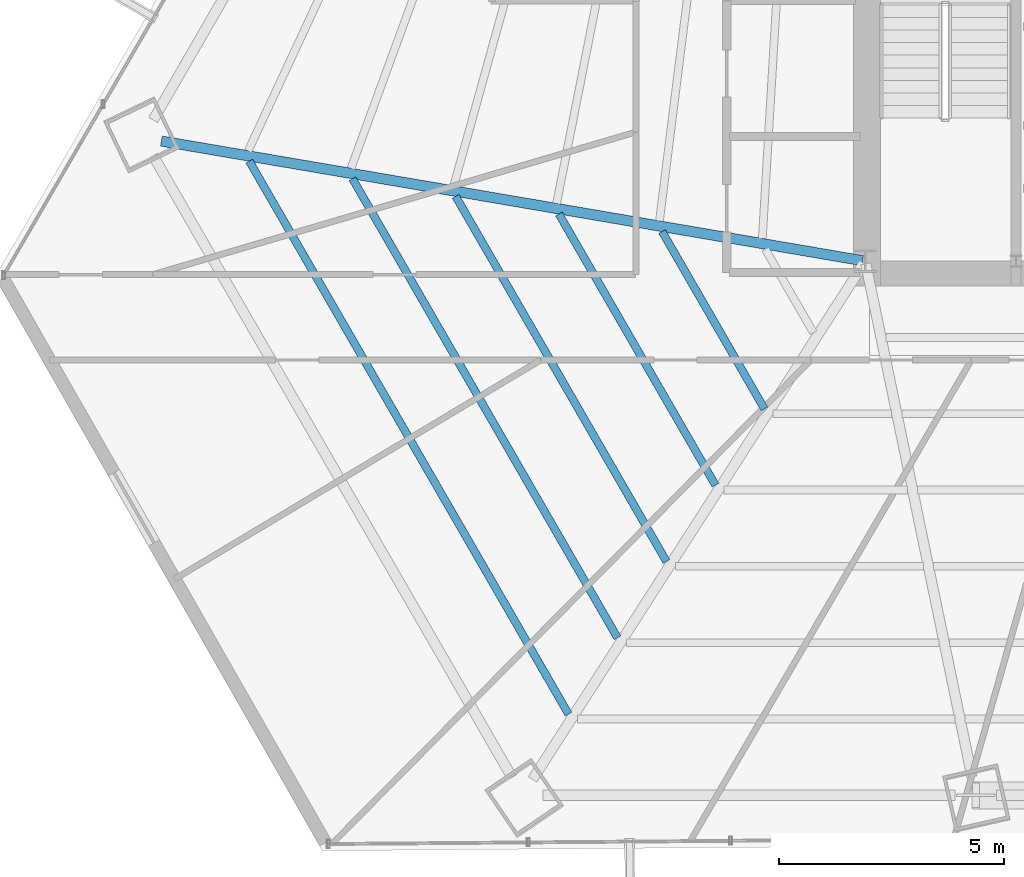
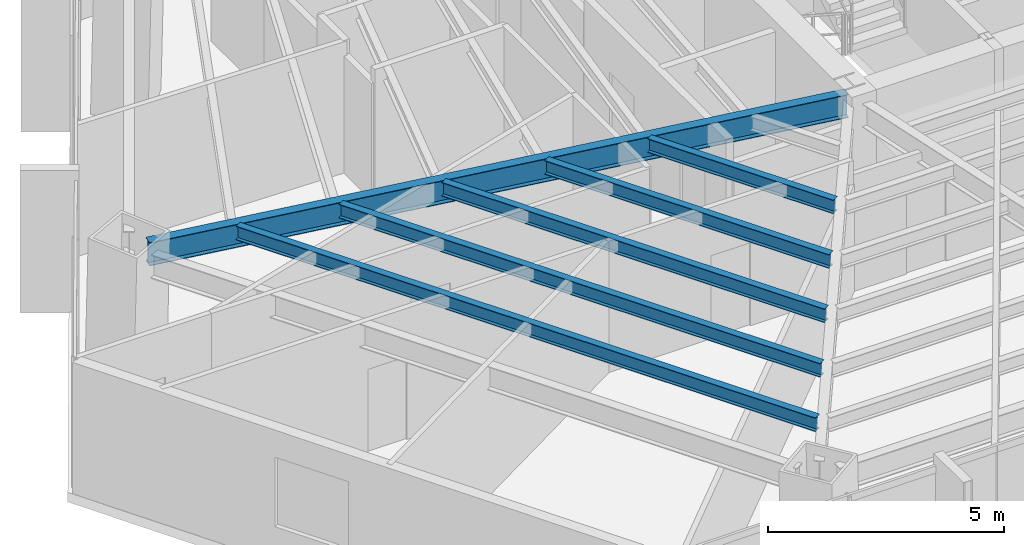
# One storey, part 7 of 36: 6 beams.
"""IFC4 building model written with IfcOpenShell, lengths in metres."""

from ifc_helpers import new_model, si_unit, direction, frame, origin, origin_2d, place, context, subcontext, project, spatial, i_section, extrude, source, transform, mapped, material, material_profile, profile_set, type_object, type_shapes, element, save


model = new_model("IFC4")

# Units and contexts
model_context = context("Model", 3, precision=1e-05, world=origin(), true_north=direction((0.0, 1.0)))
body_context = subcontext(model_context, "Body", "Model", "MODEL_VIEW")
ifc_project = project(units=[si_unit("LENGTHUNIT", "METRE"), si_unit("AREAUNIT", "SQUARE_METRE"), si_unit("VOLUMEUNIT", "CUBIC_METRE"), si_unit("PLANEANGLEUNIT", "RADIAN"), si_unit("MASSUNIT", "GRAM", prefix="KILO")], contexts=[model_context])

# Site, building, storey
site_placement = place(None, origin())
site = spatial("IfcSite", under=ifc_project, at=site_placement, CompositionType="ELEMENT")
building_placement = place(site_placement, origin())
building = spatial("IfcBuilding", under=site, at=building_placement, Name="Caelisora Broadcast Tower", CompositionType="ELEMENT")
storey_placement = place(building_placement, frame((0.0, 0.0, 60.449951171875)))
storey = spatial("IfcBuildingStorey", under=building, at=storey_placement, Name="L15", CompositionType="ELEMENT", Elevation=60.449951171875)

# Beams
ifc_material = material(Name="Steel Grade 350 (AS/NZS 3679.1)", Category="steel")
ifc_material_profile_1 = material_profile(ifc_material, i_section(OverallWidth=0.22802734375, OverallDepth=0.602294921875, WebThickness=0.010498046875, FlangeThickness=0.014892578125, at=origin_2d()), Name="Steel Grade 350 (AS/NZS 3679.1)")
ifc_profile_set_1 = profile_set([ifc_material_profile_1], Name="Steel Grade 350 (AS/NZS 3679.1)")
beam_type_1 = type_object("IfcBeamType", Name="PG04", PredefinedType="BEAM", material=ifc_profile_set_1)
shared_shape_1 = source(origin(), body_context, "Body", "SweptSolid", [
    extrude(i_section(OverallWidth=0.22802734375, OverallDepth=0.602294921875, WebThickness=0.010498046875, FlangeThickness=0.014892578125, at=origin_2d()), origin(), (0.0, 0.0, 1.0), 15.81591796875),
])
type_shapes(beam_type_1, [shared_shape_1])
beam_1_placement = place(storey_placement, frame((30.44091796875, 17.41015625, 3.098876953125), z_axis=(-0.985753721573, 0.168195125985, 0.0), x_axis=(-0.168195125985, -0.985753721573, 0.0)))
element("IfcBeam", 1, at=beam_1_placement, inside=storey, type_object=beam_type_1, Name="L15 beam PG04", PredefinedType="BEAM", context=body_context, shape_type="MappedRepresentation", body=[
    mapped(shared_shape_1, transform((0.0, 0.0, 0.0), scale=1.0)),
])
ifc_material_profile_2 = material_profile(ifc_material, i_section(OverallWidth=0.172119140625, OverallDepth=0.358642578125, WebThickness=0.008056640625, FlangeThickness=0.012939453125, at=origin_2d()), Name="Steel Grade 350 (AS/NZS 3679.1)")
ifc_profile_set_2 = profile_set([ifc_material_profile_2], Name="Steel Grade 350 (AS/NZS 3679.1)")
beam_type_2 = type_object("IfcBeamType", Name="SB02", PredefinedType="JOIST", material=ifc_profile_set_2)
shared_shape_2 = source(origin(), body_context, "Body", "SweptSolid", [
    extrude(i_section(OverallWidth=0.172119140625, OverallDepth=0.358642578125, WebThickness=0.008056640625, FlangeThickness=0.012939453125, at=origin_2d()), origin(), (0.0, 0.0, 1.0), 4.55224609375),
])
beam_2_placement = place(storey_placement, frame((25.98291015625, 18.057373046875, 3.220703125), z_axis=(0.499997902498, -0.866026614774, 0.0), x_axis=(0.866026614774, 0.499997902498, 0.0)))
element("IfcBeam", 2, at=beam_2_placement, inside=storey, type_object=beam_type_2, Name="L15 beam SB02", PredefinedType="JOIST", context=body_context, shape_type="MappedRepresentation", body=[
    mapped(shared_shape_2, transform((0.0, 0.0, 0.0), scale=1.0)),
])
shared_shape_3 = source(origin(), body_context, "Body", "SweptSolid", [
    extrude(i_section(OverallWidth=0.172119140625, OverallDepth=0.358642578125, WebThickness=0.008056640625, FlangeThickness=0.012939453125, at=origin_2d()), origin(), (0.0, 0.0, 1.0), 6.96337890625),
])
beam_3_placement = place(storey_placement, frame((23.688232421875, 18.448974609375, 3.220703125), z_axis=(0.49999660792, -0.866027362194, 0.0), x_axis=(0.866027362194, 0.49999660792, 0.0)))
element("IfcBeam", 3, at=beam_3_placement, inside=storey, type_object=beam_type_2, Name="L15 beam SB02", PredefinedType="JOIST", context=body_context, shape_type="MappedRepresentation", body=[
    mapped(shared_shape_3, transform((0.0, 0.0, 0.0), scale=1.0)),
])
shared_shape_4 = source(origin(), body_context, "Body", "SweptSolid", [
    extrude(i_section(OverallWidth=0.172119140625, OverallDepth=0.358642578125, WebThickness=0.008056640625, FlangeThickness=0.012939453125, at=origin_2d()), origin(), (0.0, 0.0, 1.0), 9.375),
])
beam_4_placement = place(storey_placement, frame((21.393310546875, 18.840576171875, 3.220703125), z_axis=(0.500004234368, -0.866022959057, 0.0), x_axis=(0.866022959057, 0.500004234368, 0.0)))
element("IfcBeam", 4, at=beam_4_placement, inside=storey, type_object=beam_type_2, Name="L15 beam SB02", PredefinedType="JOIST", context=body_context, shape_type="MappedRepresentation", body=[
    mapped(shared_shape_4, transform((0.0, 0.0, 0.0), scale=1.0)),
])
shared_shape_5 = source(origin(), body_context, "Body", "SweptSolid", [
    extrude(i_section(OverallWidth=0.172119140625, OverallDepth=0.358642578125, WebThickness=0.008056640625, FlangeThickness=0.012939453125, at=origin_2d()), origin(), (0.0, 0.0, 1.0), 11.786376953125),
])
beam_5_placement = place(storey_placement, frame((19.0986328125, 19.232177734375, 3.220703125), z_axis=(0.499993204704, -0.866029327015, 0.0), x_axis=(0.866029327015, 0.499993204704, 0.0)))
element("IfcBeam", 5, at=beam_5_placement, inside=storey, type_object=beam_type_2, Name="L15 beam SB02", PredefinedType="JOIST", context=body_context, shape_type="MappedRepresentation", body=[
    mapped(shared_shape_5, transform((0.0, 0.0, 0.0), scale=1.0)),
])
shared_shape_6 = source(origin(), body_context, "Body", "SweptSolid", [
    extrude(i_section(OverallWidth=0.172119140625, OverallDepth=0.358642578125, WebThickness=0.008056640625, FlangeThickness=0.012939453125, at=origin_2d()), origin(), (0.0, 0.0, 1.0), 14.197509765625),
])
type_shapes(beam_type_2, [shared_shape_2, shared_shape_3, shared_shape_4, shared_shape_5, shared_shape_6])
beam_6_placement = place(storey_placement, frame((16.8037109375, 19.62353515625, 3.220703125), z_axis=(0.500006264592, -0.86602178689, 0.0), x_axis=(0.86602178689, 0.500006264592, 0.0)))
element("IfcBeam", 6, at=beam_6_placement, inside=storey, type_object=beam_type_2, Name="L15 beam SB02", PredefinedType="JOIST", context=body_context, shape_type="MappedRepresentation", body=[
    mapped(shared_shape_6, transform((0.0, 0.0, 0.0), scale=1.0)),
])

save(model, "model.ifc")
